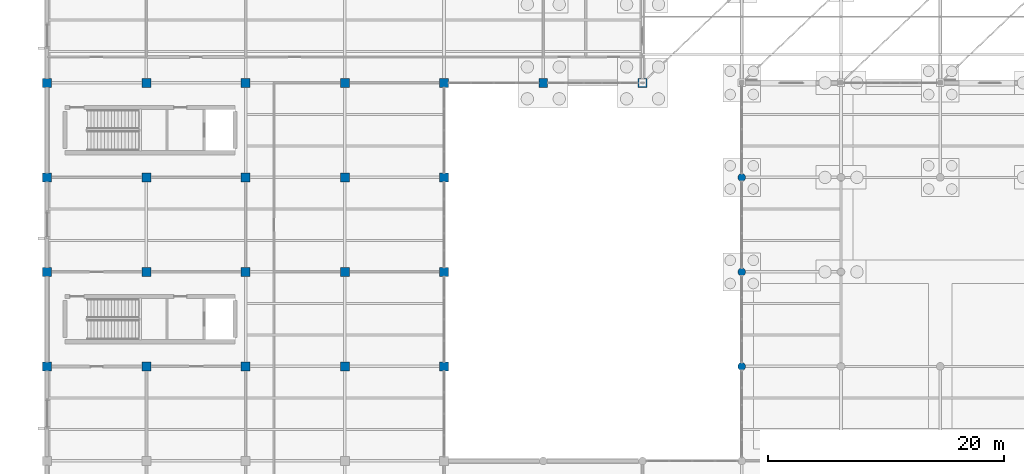
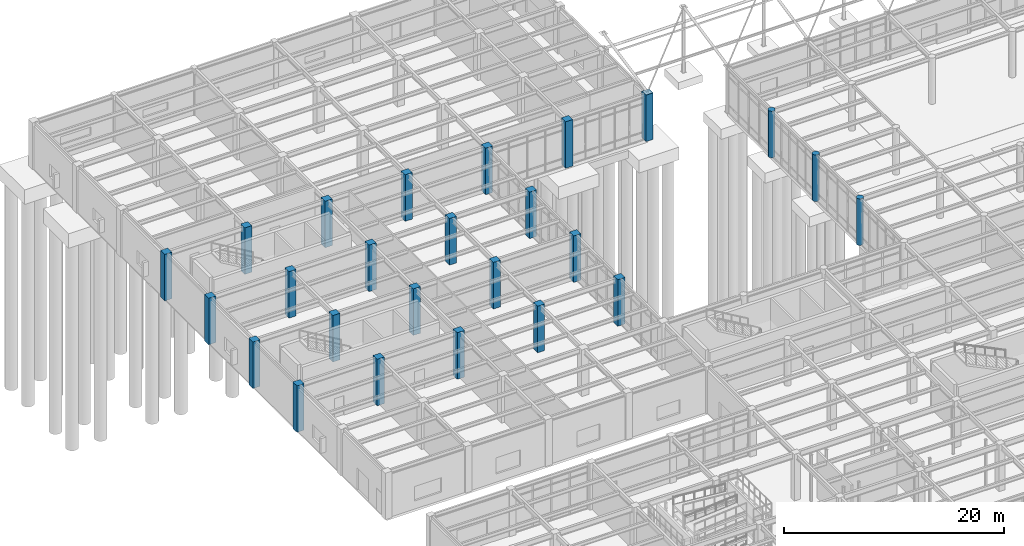
# One storey, part 11 of 138: 25 columns.
"""IFC4 building model written with IfcOpenShell, lengths in metres."""

from ifc_helpers import new_model, si_unit, direction, frame, origin, origin_2d, place, context, subcontext, project, spatial, rectangle, circle, extrude, material, material_profile, profile_set, type_object, element, save


model = new_model("IFC4")

# Units and contexts
model_context = context("Model", 3, precision=1e-05, world=origin(), true_north=direction((0.0, 1.0)))
body_context = subcontext(model_context, "Body", "Model", "MODEL_VIEW")
ifc_project = project(units=[si_unit("LENGTHUNIT", "METRE"), si_unit("AREAUNIT", "SQUARE_METRE"), si_unit("VOLUMEUNIT", "CUBIC_METRE"), si_unit("PLANEANGLEUNIT", "RADIAN"), si_unit("MASSUNIT", "GRAM", prefix="KILO")], contexts=[model_context])

# Site, building, storey
site_placement = place(None, origin())
site = spatial("IfcSite", under=ifc_project, at=site_placement, CompositionType="ELEMENT")
building_placement = place(site_placement, origin())
building = spatial("IfcBuilding", under=site, at=building_placement, Name="Kranzveld Transit Interchange", CompositionType="ELEMENT")
storey_placement = place(building_placement, origin())
storey = spatial("IfcBuildingStorey", under=building, at=storey_placement, Name="L00", CompositionType="ELEMENT", Elevation=0.0)

# Columns
ifc_material_1 = material(Name="Concrete C40/50", Category="concrete")
ifc_material_profile_1 = material_profile(ifc_material_1, rectangle(XDim=0.75, YDim=0.75, at=origin_2d()), Name="RC 750x750")
ifc_profile_set_1 = profile_set([ifc_material_profile_1], Name="Concrete C40/50")
column_type_1 = type_object("IfcColumnType", Name="Column RC 750x750 C40/50", PredefinedType="COLUMN", material=ifc_profile_set_1)
for number, where, z_axis, x_axis, name in (
    (1, (0.0, 64.0, 0.0), (0.0, 0.0, 1.0), (1.0, 0.0, 0.0), "L00 Column 01/J"),
    (2, (0.0, 72.0, 0.0), (0.0, 0.0, 1.0), (1.0, 0.0, 0.0), "L00 Column 01/K"),
    (3, (0.0, 80.0, 0.0), (0.0, 0.0, 1.0), (1.0, 0.0, 0.0), "L00 Column 01/L"),
    (4, (0.0, 88.0, 0.0), (0.0, 0.0, 1.0), (1.0, 0.0, 0.0), "L00 Column 01/M"),
    (5, (8.39990234375, 64.0, 0.0), (0.0, 0.0, 1.0), (1.0, 0.0, 0.0), "L00 Column 02/J"),
    (6, (8.39990234375, 72.0, 0.0), (0.0, 0.0, 1.0), (1.0, 0.0, 0.0), "L00 Column 02/K"),
    (7, (8.39990234375, 80.0, 0.0), (0.0, 0.0, 1.0), (1.0, 0.0, 0.0), "L00 Column 02/L"),
    (8, (8.39990234375, 88.0, 0.0), (0.0, 0.0, 1.0), (1.0, 0.0, 0.0), "L00 Column 02/M"),
    (9, (16.800048828125, 64.0, 0.0), (0.0, 0.0, 1.0), (1.0, 0.0, 0.0), "L00 Column 03/J"),
    (10, (16.800048828125, 72.0, 0.0), (0.0, 0.0, 1.0), (1.0, 0.0, 0.0), "L00 Column 03/K"),
    (11, (16.800048828125, 80.0, 0.0), (0.0, 0.0, 1.0), (1.0, 0.0, 0.0), "L00 Column 03/L"),
    (12, (16.800048828125, 88.0, 0.0), (0.0, 0.0, 1.0), (1.0, 0.0, 0.0), "L00 Column 03/M"),
    (13, (25.199951171875, 64.0, 0.0), (0.0, 0.0, 1.0), (1.0, 0.0, 0.0), "L00 Column 04/J"),
    (14, (25.199951171875, 72.0, 0.0), (0.0, 0.0, 1.0), (1.0, 0.0, 0.0), "L00 Column 04/K"),
    (15, (25.199951171875, 80.0, 0.0), (0.0, 0.0, 1.0), (1.0, 0.0, 0.0), "L00 Column 04/L"),
    (16, (25.199951171875, 88.0, 0.0), (0.0, 0.0, 1.0), (1.0, 0.0, 0.0), "L00 Column 04/M"),
    (17, (33.60009765625, 64.0, 0.0), (0.0, 0.0, 1.0), (1.0, 0.0, 0.0), "L00 Column 05/J"),
    (18, (33.60009765625, 72.0, 0.0), (0.0, 0.0, 1.0), (1.0, 0.0, 0.0), "L00 Column 05/K"),
    (19, (33.60009765625, 80.0, 0.0), (0.0, 0.0, 1.0), (1.0, 0.0, 0.0), "L00 Column 05/L"),
    (20, (33.60009765625, 88.0, 0.0), (0.0, 0.0, 1.0), (1.0, 0.0, 0.0), "L00 Column 05/M"),
    (21, (42.0, 88.0, 0.0), (0.0, 0.0, 1.0), (1.0, 0.0, 0.0), "L00 Column 06/M"),
    (22, (50.39990234375, 88.0, 0.0), (0.0, 0.0, 1.0), (1.0, 0.0, 0.0), "L00 Column 07/M"),
):
    element("IfcColumn", number, at=place(storey_placement, frame(where, z_axis=z_axis, x_axis=x_axis)), inside=storey, type_object=column_type_1, Name=name, PredefinedType="COLUMN", context=body_context, shape_type="SweptSolid", body=[
        extrude(rectangle(XDim=0.75, YDim=0.75, at=origin_2d()), origin(), (0.0, 0.0, 1.0), 5.14990234375),
    ])
ifc_material_2 = material(Name="Concrete C35/45", Category="concrete")
ifc_material_profile_2 = material_profile(ifc_material_2, circle(Radius=0.324951171875, at=origin_2d()), Name="RC DIA 650")
ifc_profile_set_2 = profile_set([ifc_material_profile_2], Name="Concrete C35/45")
column_type_2 = type_object("IfcColumnType", Name="Column RC Dia 650 C35/45", PredefinedType="COLUMN", material=ifc_profile_set_2)
for number, where, z_axis, x_axis, name in (
    (23, (58.800048828125, 64.0, 0.0), (0.0, 0.0, 1.0), (1.0, 0.0, 0.0), "L00 Column 08/J"),
    (24, (58.800048828125, 72.0, 0.0), (0.0, 0.0, 1.0), (1.0, 0.0, 0.0), "L00 Column 08/K"),
    (25, (58.800048828125, 80.0, 0.0), (0.0, 0.0, 1.0), (1.0, 0.0, 0.0), "L00 Column 08/L"),
):
    element("IfcColumn", number, at=place(storey_placement, frame(where, z_axis=z_axis, x_axis=x_axis)), inside=storey, type_object=column_type_2, Name=name, PredefinedType="COLUMN", context=body_context, shape_type="SweptSolid", body=[
        extrude(circle(Radius=0.324951171875, at=origin_2d()), origin(), (0.0, 0.0, 1.0), 5.14990234375),
    ])

save(model, "model.ifc")
